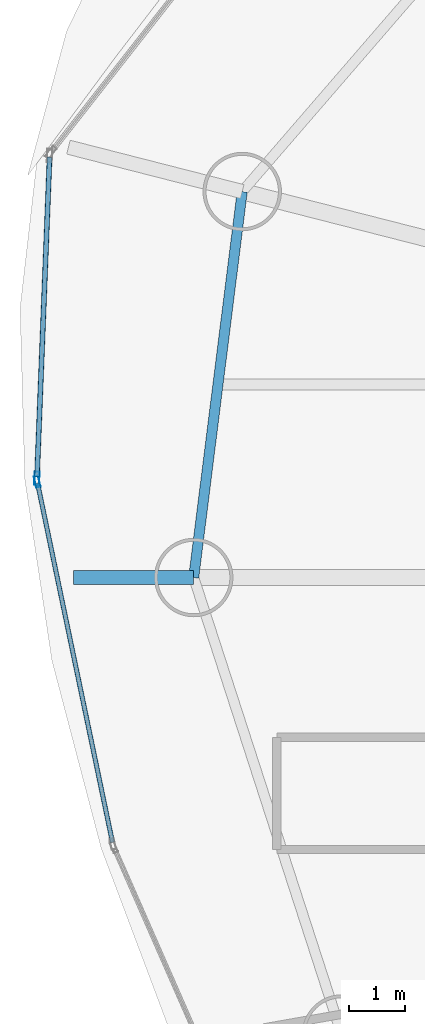
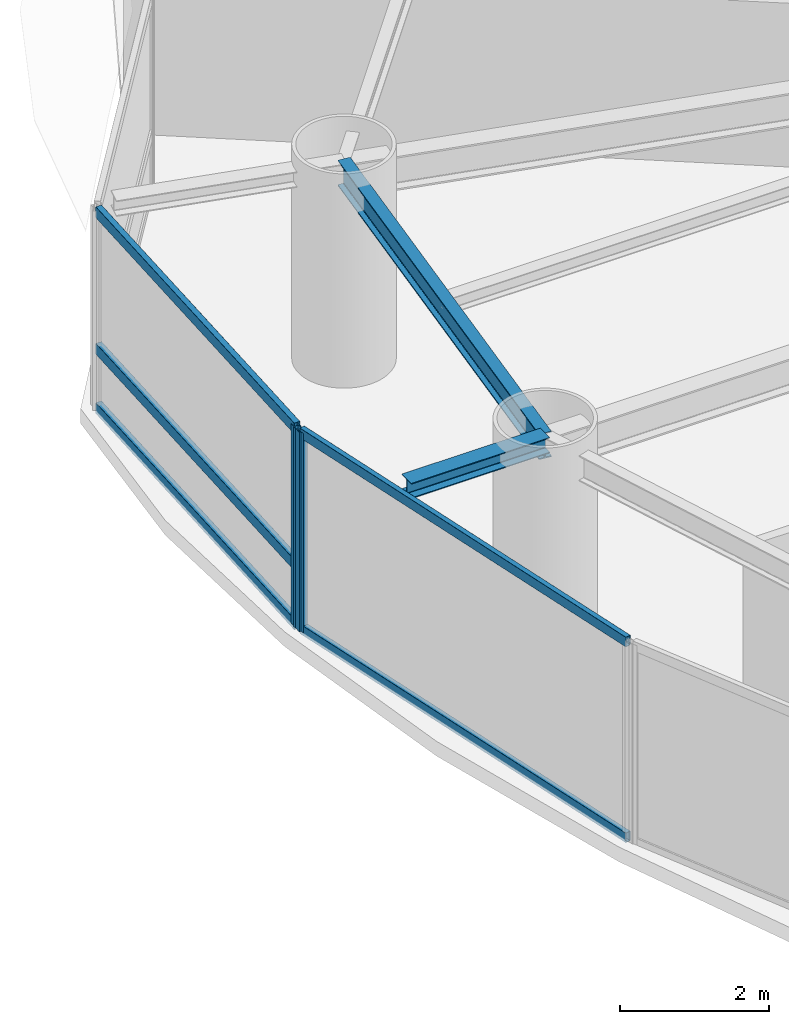
# One storey, part 7 of 23: 7 members, 2 beams, 2 elements without a shape of their own.
"""IFC4 building model written with IfcOpenShell, lengths in metres."""

from ifc_helpers import new_model, si_unit, direction, frame, origin, origin_2d, place, context, subcontext, project, spatial, hollow_rectangle, i_section, extrude, material, layer, layer_set, material_profile, profile_set, type_object, element, aggregate, save


model = new_model("IFC4")

# Units and contexts
model_context = context("Model", 3, precision=1e-05, world=origin(), true_north=direction((0.0, 1.0)))
body_context = subcontext(model_context, "Body", "Model", "MODEL_VIEW")
ifc_project = project(units=[si_unit("LENGTHUNIT", "METRE"), si_unit("AREAUNIT", "SQUARE_METRE"), si_unit("VOLUMEUNIT", "CUBIC_METRE"), si_unit("PLANEANGLEUNIT", "RADIAN"), si_unit("MASSUNIT", "GRAM", prefix="KILO")], contexts=[model_context])

# Site, building, storey
site_placement = place(None, origin())
site = spatial("IfcSite", under=ifc_project, at=site_placement, CompositionType="ELEMENT")
building_placement = place(site_placement, origin())
building = spatial("IfcBuilding", under=site, at=building_placement, Name="Bramvorn Convention Spire", CompositionType="ELEMENT")
storey_placement = place(building_placement, frame((0.0, 0.0, 158.800048828125)))
storey = spatial("IfcBuildingStorey", under=building, at=storey_placement, Name="L40", CompositionType="ELEMENT", Elevation=158.800048828125)

# Beams
ifc_material_1 = material(Name="Steel CSA G40.21 Grade 350 (350W)", Category="steel")
ifc_material_profile_1 = material_profile(ifc_material_1, i_section(OverallWidth=0.25390625, OverallDepth=0.2529296875, WebThickness=0.008544921875, FlangeThickness=0.01416015625, FilletRadius=0.011962890625, at=origin_2d()))
ifc_profile_set_1 = profile_set([ifc_material_profile_1], Name="Steel CSA G40.21 Grade 350 (350W) - W250X73")
beam_type_1 = type_object("IfcBeamType", Name="BM-W250X73", PredefinedType="BEAM", material=ifc_profile_set_1)
beam_1_placement = place(storey_placement, frame((13.016357421875, 29.851806640625, 3.133544921875), z_axis=(-1.0, 0.0, 0.0), x_axis=(0.0, -1.0, 0.0)))
element("IfcBeam", 1, at=beam_1_placement, inside=storey, type_object=beam_type_1, Name="L40 slab-edge cantilever tip beam MC10", PredefinedType="BEAM", context=body_context, shape_type="SweptSolid", body=[
    extrude(i_section(OverallWidth=0.25390625, OverallDepth=0.2529296875, WebThickness=0.008544921875, FlangeThickness=0.01416015625, FilletRadius=0.011962890625, at=origin_2d()), origin(), (0.0, 0.0, 1.0), 2.1416015625),
])
ifc_material_profile_2 = material_profile(ifc_material_1, i_section(OverallWidth=0.180908203125, OverallDepth=0.4169921875, WebThickness=0.010986328125, FlangeThickness=0.018310546875, FilletRadius=0.01611328125, at=origin_2d()))
ifc_profile_set_2 = profile_set([ifc_material_profile_2], Name="Steel CSA G40.21 Grade 350 (350W) - W410X85")
beam_type_2 = type_object("IfcBeamType", Name="BM-W410X85", PredefinedType="JOIST", material=ifc_profile_set_2)
beam_2_placement = place(storey_placement, frame((13.88232421875, 36.73779296875, 3.051513671875), z_axis=(-0.124775053879, -0.992185056292, 0.0), x_axis=(0.992185056292, -0.124775053879, 0.0)))
element("IfcBeam", 2, at=beam_2_placement, inside=storey, type_object=beam_type_2, Name="L40 mega-column ring beam 09", PredefinedType="JOIST", context=body_context, shape_type="SweptSolid", body=[
    extrude(i_section(OverallWidth=0.180908203125, OverallDepth=0.4169921875, WebThickness=0.010986328125, FlangeThickness=0.018310546875, FilletRadius=0.01611328125, at=origin_2d()), origin(), (0.0, 0.0, 1.0), 6.940185546875),
])

# Curtain wall, member
ifc_material_2 = material(Name="Anodised Bronze Unitised Curtain Wall", Category="aluminium")
ifc_layer_1 = layer(ifc_material_2, 0.179931640625)
ifc_layer_set_1 = layer_set([ifc_layer_1], Name="Anodised Bronze Unitised Curtain Wall - CW-HTL-FRIT")
curtain_wall_type_1 = type_object("IfcCurtainWallType", Name="CW-HTL-FRIT", PredefinedType="USERDEFINED", material=ifc_layer_set_1)
curtain_wall_1_placement = place(storey_placement, origin())
curtain_wall_1 = element("IfcCurtainWall", 3, at=curtain_wall_1_placement, inside=storey, type_object=curtain_wall_type_1, Name="L40 fritted glass curtain wall 15", ObjectType="UNITISED CURTAIN WALL", PredefinedType="USERDEFINED")
ifc_material_3 = material(Name="Anodised Bronze Aluminium 6063-T6", Category="aluminium")
ifc_material_profile_3 = material_profile(ifc_material_3, hollow_rectangle(XDim=0.080078125, YDim=0.199951171875, WallThickness=0.00390625, InnerFilletRadius=0.0009765625, OuterFilletRadius=0.00390625, at=origin_2d()))
ifc_profile_set_3 = profile_set([ifc_material_profile_3], Name="Anodised Bronze Aluminium 6063-T6 - CWM80X200")
member_type_1 = type_object("IfcMemberType", Name="CW-MUL-180", PredefinedType="MULLION", material=ifc_profile_set_3)
member_1_placement = place(storey_placement, frame((10.224609375, 31.5625, 0.0), z_axis=(0.0, 0.0, 1.0), x_axis=(-0.978913587257, -0.204274787194, 0.0)))
member_1 = element("IfcMember", 4, at=member_1_placement, type_object=member_type_1, Name="CW2 mullion 2", PredefinedType="MULLION", context=body_context, shape_type="SweptSolid", body=[
    extrude(hollow_rectangle(XDim=0.080078125, YDim=0.199951171875, WallThickness=0.00390625, InnerFilletRadius=0.0009765625, OuterFilletRadius=0.00390625, at=origin_2d()), origin(), (0.0, 0.0, 1.0), 3.260009765625),
])

ifc_layer_2 = layer(ifc_material_2, 0.219970703125)
ifc_layer_set_2 = layer_set([ifc_layer_2], Name="Anodised Bronze Unitised Curtain Wall - CW-SKYGARDEN")
curtain_wall_type_2 = type_object("IfcCurtainWallType", Name="CW-SKYGARDEN", PredefinedType="USERDEFINED", material=ifc_layer_set_2)
curtain_wall_2_placement = place(storey_placement, origin())
curtain_wall_2 = element("IfcCurtainWall", 5, at=curtain_wall_2_placement, inside=storey, type_object=curtain_wall_type_2, Name="L40 Sky Garden glazed facade 14", ObjectType="WINTER GARDEN GLAZING", PredefinedType="USERDEFINED")
ifc_material_profile_4 = material_profile(ifc_material_3, hollow_rectangle(XDim=0.090087890625, YDim=0.239990234375, WallThickness=0.00439453125, InnerFilletRadius=0.0009765625, OuterFilletRadius=0.00439453125, at=origin_2d()))
ifc_profile_set_4 = profile_set([ifc_material_profile_4], Name="Anodised Bronze Aluminium 6063-T6 - CWM90X240")
member_type_2 = type_object("IfcMemberType", Name="CW-MUL-220", PredefinedType="MULLION", material=ifc_profile_set_4)
member_2_placement = place(storey_placement, frame((10.2197265625, 31.621826171875, 0.0), z_axis=(0.0, 0.0, 1.0), x_axis=(-0.999223648076, 0.039396714655, 0.0)))
member_2 = element("IfcMember", 6, at=member_2_placement, type_object=member_type_2, Name="CW4 mullion 1", PredefinedType="MULLION", context=body_context, shape_type="SweptSolid", body=[
    extrude(hollow_rectangle(XDim=0.090087890625, YDim=0.239990234375, WallThickness=0.00439453125, InnerFilletRadius=0.0009765625, OuterFilletRadius=0.00439453125, at=origin_2d()), origin(), (0.0, 0.0, 1.0), 3.260009765625),
])

# Member
ifc_material_profile_5 = material_profile(ifc_material_3, hollow_rectangle(XDim=0.080078125, YDim=0.159912109375, WallThickness=0.00390625, InnerFilletRadius=0.0009765625, OuterFilletRadius=0.00390625, at=origin_2d()))
ifc_profile_set_5 = profile_set([ifc_material_profile_5], Name="Anodised Bronze Aluminium 6063-T6 - CWT80X160")
member_type_3 = type_object("IfcMemberType", Name="CW-TRN-150", PredefinedType="USERDEFINED", material=ifc_profile_set_5)
member_3_placement = place(storey_placement, frame((11.56787109375, 25.126220703125, 0.030029296875), z_axis=(-0.204265569364, 0.978915510743, 0.0), x_axis=(-0.978915510743, -0.204265569364, 0.0)))
member_3 = element("IfcMember", 7, at=member_3_placement, type_object=member_type_3, Name="CW2 transom 1.1", ObjectType="TRANSOM", PredefinedType="USERDEFINED", context=body_context, shape_type="SweptSolid", body=[
    extrude(hollow_rectangle(XDim=0.080078125, YDim=0.159912109375, WallThickness=0.00390625, InnerFilletRadius=0.0009765625, OuterFilletRadius=0.00390625, at=origin_2d()), origin(), (0.0, 0.0, 1.0), 6.544921875),
])

member_4_placement = place(storey_placement, frame((11.56787109375, 25.126220703125, 3.22998046875), z_axis=(-0.204265569364, 0.978915510743, 0.0), x_axis=(-0.978915510743, -0.204265569364, 0.0)))
member_4 = element("IfcMember", 8, at=member_4_placement, type_object=member_type_3, Name="CW2 transom 1.2", ObjectType="TRANSOM", PredefinedType="USERDEFINED", context=body_context, shape_type="SweptSolid", body=[
    extrude(hollow_rectangle(XDim=0.080078125, YDim=0.159912109375, WallThickness=0.00390625, InnerFilletRadius=0.0009765625, OuterFilletRadius=0.00390625, at=origin_2d()), origin(), (0.0, 0.0, 1.0), 6.544921875),
])

aggregate(curtain_wall_1, [member_1, member_3, member_4])

ifc_material_profile_6 = material_profile(ifc_material_3, hollow_rectangle(XDim=0.090087890625, YDim=0.179931640625, WallThickness=0.00439453125, InnerFilletRadius=0.0009765625, OuterFilletRadius=0.00439453125, at=origin_2d()))
ifc_profile_set_6 = profile_set([ifc_material_profile_6], Name="Anodised Bronze Aluminium 6063-T6 - CWT90X180")
member_type_4 = type_object("IfcMemberType", Name="CW-TRN-180", PredefinedType="USERDEFINED", material=ifc_profile_set_6)
member_5_placement = place(storey_placement, frame((10.220947265625, 31.65185546875, 0.030029296875), z_axis=(0.039385038332, 0.999224108374, 0.0), x_axis=(-0.999224108374, 0.039385038332, 0.0)))
member_5 = element("IfcMember", 9, at=member_5_placement, type_object=member_type_4, Name="CW4 transom 1.1", ObjectType="TRANSOM", PredefinedType="USERDEFINED", context=body_context, shape_type="SweptSolid", body=[
    extrude(hollow_rectangle(XDim=0.090087890625, YDim=0.179931640625, WallThickness=0.00439453125, InnerFilletRadius=0.0009765625, OuterFilletRadius=0.00439453125, at=origin_2d()), origin(), (0.0, 0.0, 1.0), 5.702880859375),
])

member_6_placement = place(storey_placement, frame((10.220947265625, 31.65185546875, 1.0), z_axis=(0.039385038332, 0.999224108374, 0.0), x_axis=(-0.999224108374, 0.039385038332, 0.0)))
member_6 = element("IfcMember", 10, at=member_6_placement, type_object=member_type_4, Name="CW4 transom 1.2", ObjectType="TRANSOM", PredefinedType="USERDEFINED", context=body_context, shape_type="SweptSolid", body=[
    extrude(hollow_rectangle(XDim=0.090087890625, YDim=0.179931640625, WallThickness=0.00439453125, InnerFilletRadius=0.0009765625, OuterFilletRadius=0.00439453125, at=origin_2d()), origin(), (0.0, 0.0, 1.0), 5.702880859375),
])

member_7_placement = place(storey_placement, frame((10.220947265625, 31.65185546875, 3.22998046875), z_axis=(0.039385038332, 0.999224108374, 0.0), x_axis=(-0.999224108374, 0.039385038332, 0.0)))
member_7 = element("IfcMember", 11, at=member_7_placement, type_object=member_type_4, Name="CW4 transom 1.3", ObjectType="TRANSOM", PredefinedType="USERDEFINED", context=body_context, shape_type="SweptSolid", body=[
    extrude(hollow_rectangle(XDim=0.090087890625, YDim=0.179931640625, WallThickness=0.00439453125, InnerFilletRadius=0.0009765625, OuterFilletRadius=0.00439453125, at=origin_2d()), origin(), (0.0, 0.0, 1.0), 5.702880859375),
])

aggregate(curtain_wall_2, [member_2, member_5, member_6, member_7])

save(model, "model.ifc")
